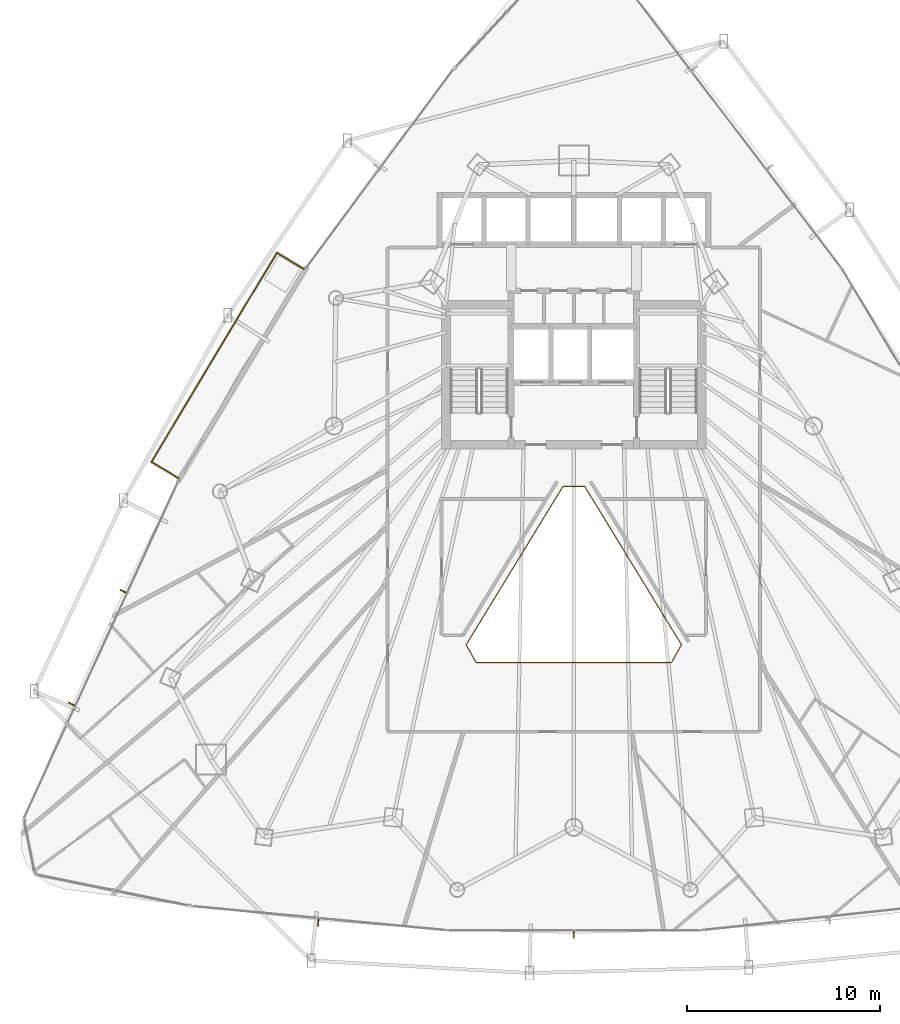
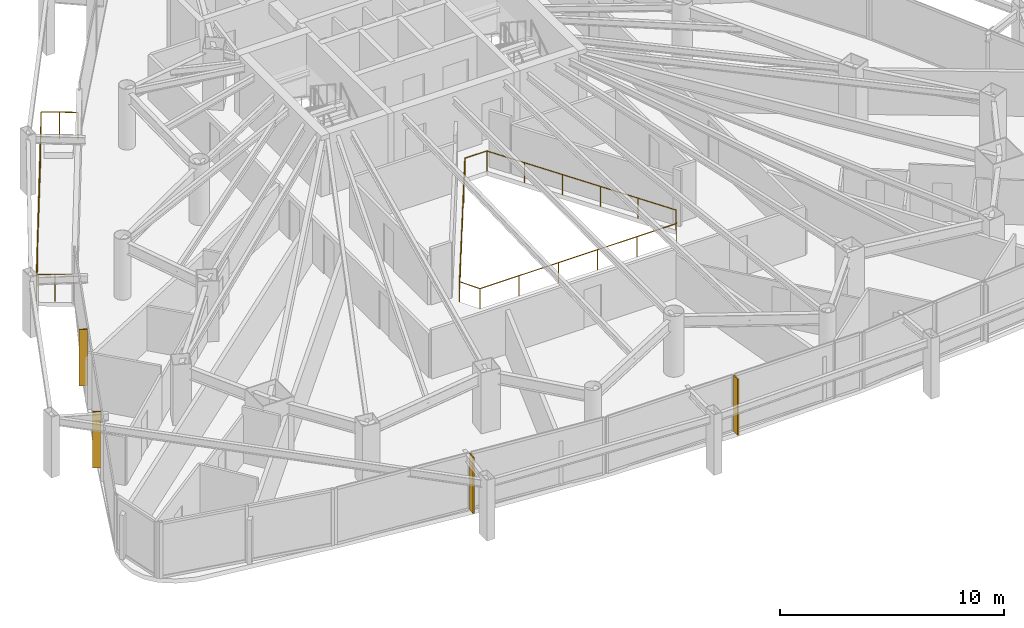
# One storey, part 35 of 38: 4 shading devices, 2 railings.
"""IFC4 building model written with IfcOpenShell, lengths in metres."""

from ifc_helpers import new_model, si_unit, direction, frame, origin, origin_2d, place, context, subcontext, project, spatial, rectangle, circle, extrude, material, layer, layer_set, type_object, element, save


model = new_model("IFC4")

# Units and contexts
model_context = context("Model", 3, precision=1e-05, world=origin(), true_north=direction((0.0, 1.0)))
body_context = subcontext(model_context, "Body", "Model", "MODEL_VIEW")
ifc_project = project(units=[si_unit("LENGTHUNIT", "METRE"), si_unit("AREAUNIT", "SQUARE_METRE"), si_unit("VOLUMEUNIT", "CUBIC_METRE"), si_unit("PLANEANGLEUNIT", "RADIAN"), si_unit("MASSUNIT", "GRAM", prefix="KILO")], contexts=[model_context])

# Site, building, storey
site_placement = place(None, origin())
site = spatial("IfcSite", under=ifc_project, at=site_placement, CompositionType="ELEMENT")
building_placement = place(site_placement, origin())
building = spatial("IfcBuilding", under=site, at=building_placement, Name="Orvanel Arch Residences", CompositionType="ELEMENT")
storey_placement = place(building_placement, frame((0.0, 0.0, 43.39990234375)))
storey = spatial("IfcBuildingStorey", under=building, at=storey_placement, Name="L11", CompositionType="ELEMENT", Elevation=43.39990234375)

# Shading devices
ifc_material = material(Name="Bronze-anodised aluminium AA6063-T6", Category="aluminium")
ifc_layer = layer(ifc_material, 0.06005859375)
ifc_layer_set = layer_set([ifc_layer], Name="Bronze-anodised aluminium AA6063-T6")
shading_device_type = type_object("IfcShadingDeviceType", Name="FIN-BRZ-380", PredefinedType="USERDEFINED", material=ifc_layer_set)
for number, where, z_axis, x_axis, name in (
    (1, (9.652099609375, 19.073974609375, 0.0), (0.0, 0.0, 1.0), (-0.909236109047, 0.41628079226, 0.0), "L11 Anodised Bronze Mullion FIN 01"),
    (2, (6.97802734375, 13.23388671875, 0.0), (0.0, 0.0, 1.0), (-0.909236109047, 0.41628079226, 0.0), "L11 Anodised Bronze Mullion FIN 02"),
    (3, (19.757080078125, 1.91796875, 0.0), (0.0, 0.0, 1.0), (-0.094108313319, -0.995561964603, 0.0), "L11 Anodised Bronze Mullion FIN 01"),
    (4, (33.0, 1.291015625, 0.0), (0.0, 0.0, 1.0), (0.0, -1.0, 0.0), "L11 Anodised Bronze Mullion FIN 01"),
):
    element("IfcShadingDevice", number, at=place(storey_placement, frame(where, z_axis=z_axis, x_axis=x_axis)), inside=storey, type_object=shading_device_type, Name=name, ObjectType="FIN", PredefinedType="USERDEFINED", context=body_context, shape_type="SweptSolid", body=[
        extrude(rectangle(XDim=0.3798828125, YDim=0.06005859375, at=origin_2d()), origin(), (0.0, 0.0, 1.0), 3.06005859375),
    ])

# Railings
railing_type_1 = type_object("IfcRailingType", Name="RL-ATR-1120", PredefinedType="BALUSTRADE", material=ifc_material)
railing_1_placement = place(storey_placement, frame((33.56494140625, 24.5009765625, 0.0)))
element("IfcRailing", 5, at=railing_1_placement, inside=storey, type_object=railing_type_1, Name="L11 Atrium Void Protective Balustrade", PredefinedType="BALUSTRADE", context=body_context, shape_type="SweptSolid", body=[
    extrude(circle(Radius=0.02392578125, at=origin_2d()), frame((-0.00146484375, 0.0, 1.09619140625), z_axis=(-1.0, 0.0, 0.0), x_axis=(0.0, -1.0, 0.0)), (0.0, 0.0, 1.0), 1.126953125),
    extrude(circle(Radius=0.02392578125, at=origin_2d()), frame((-1.130615234375, -0.001220703125, 1.09619140625), z_axis=(-0.521548736033, -0.853221492897, 0.0), x_axis=(0.853221492897, -0.521548736033, 0.0)), (0.0, 0.0, 1.0), 9.599365234375),
    extrude(circle(Radius=0.02392578125, at=origin_2d()), frame((-6.13720703125, -8.194091796875, 1.09619140625), z_axis=(0.489024361599, -0.872270126602, 0.0), x_axis=(0.872270126602, 0.489024361599, 0.0)), (0.0, 0.0, 1.0), 1.056396484375),
    extrude(circle(Radius=0.02392578125, at=origin_2d()), frame((-5.618408203125, -9.116943359375, 1.09619140625), z_axis=(1.0, 0.0, 0.0), x_axis=(0.0, 1.0, 0.0)), (0.0, 0.0, 1.0), 10.10693359375),
    extrude(circle(Radius=0.02392578125, at=origin_2d()), frame((4.49072265625, -9.11572265625, 1.09619140625), z_axis=(0.489024361599, 0.872270126602, 0.0), x_axis=(-0.872270126602, 0.489024361599, 0.0)), (0.0, 0.0, 1.0), 1.056396484375),
    extrude(circle(Radius=0.02392578125, at=origin_2d()), frame((5.00732421875, -8.191650390625, 1.09619140625), z_axis=(-0.521548736033, 0.853221492897, 0.0), x_axis=(-0.853221492897, -0.521548736033, 0.0)), (0.0, 0.0, 1.0), 9.599365234375),
    extrude(circle(Radius=0.02099609375, at=origin_2d()), origin(), (0.0, 0.0, 1.0), 1.070068359375),
    extrude(circle(Radius=0.02099609375, at=origin_2d()), frame((-1.1298828125, 0.0, 0.0)), (0.0, 0.0, 1.0), 1.070068359375),
    extrude(circle(Radius=0.02099609375, at=origin_2d()), frame((-2.131591796875, -1.638671875, 0.0)), (0.0, 0.0, 1.0), 1.070068359375),
    extrude(circle(Radius=0.02099609375, at=origin_2d()), frame((-3.133056640625, -3.277099609375, 0.0)), (0.0, 0.0, 1.0), 1.070068359375),
    extrude(circle(Radius=0.02099609375, at=origin_2d()), frame((-4.134765625, -4.915771484375, 0.0)), (0.0, 0.0, 1.0), 1.070068359375),
    extrude(circle(Radius=0.02099609375, at=origin_2d()), frame((-5.13623046875, -6.55419921875, 0.0)), (0.0, 0.0, 1.0), 1.070068359375),
    extrude(circle(Radius=0.02099609375, at=origin_2d()), frame((-6.137939453125, -8.19287109375, 0.0)), (0.0, 0.0, 1.0), 1.070068359375),
    extrude(circle(Radius=0.02099609375, at=origin_2d()), frame((-5.619873046875, -9.116943359375, 0.0)), (0.0, 0.0, 1.0), 1.070068359375),
    extrude(circle(Radius=0.02099609375, at=origin_2d()), frame((-3.597900390625, -9.116943359375, 0.0)), (0.0, 0.0, 1.0), 1.070068359375),
    extrude(circle(Radius=0.02099609375, at=origin_2d()), frame((-1.575927734375, -9.116943359375, 0.0)), (0.0, 0.0, 1.0), 1.070068359375),
    extrude(circle(Radius=0.02099609375, at=origin_2d()), frame((0.446044921875, -9.116943359375, 0.0)), (0.0, 0.0, 1.0), 1.070068359375),
    extrude(circle(Radius=0.02099609375, at=origin_2d()), frame((2.468017578125, -9.116943359375, 0.0)), (0.0, 0.0, 1.0), 1.070068359375),
    extrude(circle(Radius=0.02099609375, at=origin_2d()), frame((4.489990234375, -9.116943359375, 0.0)), (0.0, 0.0, 1.0), 1.070068359375),
    extrude(circle(Radius=0.02099609375, at=origin_2d()), frame((5.008056640625, -8.19287109375, 0.0)), (0.0, 0.0, 1.0), 1.070068359375),
    extrude(circle(Radius=0.02099609375, at=origin_2d()), frame((4.00634765625, -6.55419921875, 0.0)), (0.0, 0.0, 1.0), 1.070068359375),
    extrude(circle(Radius=0.02099609375, at=origin_2d()), frame((3.0048828125, -4.915771484375, 0.0)), (0.0, 0.0, 1.0), 1.070068359375),
    extrude(circle(Radius=0.02099609375, at=origin_2d()), frame((2.003173828125, -3.277099609375, 0.0)), (0.0, 0.0, 1.0), 1.070068359375),
    extrude(circle(Radius=0.02099609375, at=origin_2d()), frame((1.001708984375, -1.638671875, 0.0)), (0.0, 0.0, 1.0), 1.070068359375),
])
railing_type_2 = type_object("IfcRailingType", Name="RL-BAL-1480", PredefinedType="BALUSTRADE", material=ifc_material)
railing_2_placement = place(storey_placement, frame((19.01904296875, 35.77392578125, 0.0)))
element("IfcRailing", 6, at=railing_2_placement, inside=storey, type_object=railing_type_2, Name="L11 Balcony Perimeter Guardrail Face 1", PredefinedType="BALUSTRADE", context=body_context, shape_type="SweptSolid", body=[
    extrude(circle(Radius=0.02392578125, at=origin_2d()), frame((-0.001220703125, 0.000732421875, 1.4560546875), z_axis=(-0.857387817543, 0.514670895164, 0.0), x_axis=(-0.514670895164, -0.857387817543, 0.0)), (0.0, 0.0, 1.0), 1.636962890625),
    extrude(circle(Radius=0.02392578125, at=origin_2d()), frame((-1.40673828125, 0.8427734375, 1.4560546875), z_axis=(-0.51435933579, -0.857574762738, 0.0), x_axis=(0.857574762738, -0.51435933579, 0.0)), (0.0, 0.0, 1.0), 12.63037109375),
    extrude(circle(Radius=0.02392578125, at=origin_2d()), frame((-7.90283203125, -9.99072265625, 1.4560546875), z_axis=(0.857545439568, -0.514408222208, 0.0), x_axis=(0.514408222208, 0.857545439568, 0.0)), (0.0, 0.0, 1.0), 1.6376953125),
    extrude(circle(Radius=0.02099609375, at=origin_2d()), origin(), (0.0, 0.0, 1.0), 1.429931640625),
    extrude(circle(Radius=0.02099609375, at=origin_2d()), frame((-0.703125, 0.421875, 0.0)), (0.0, 0.0, 1.0), 1.429931640625),
    extrude(circle(Radius=0.02099609375, at=origin_2d()), frame((-1.406005859375, 0.843994140625, 0.0)), (0.0, 0.0, 1.0), 1.429931640625),
    extrude(circle(Radius=0.02099609375, at=origin_2d()), frame((-1.996826171875, -0.140869140625, 0.0)), (0.0, 0.0, 1.0), 1.429931640625),
    extrude(circle(Radius=0.02099609375, at=origin_2d()), frame((-2.58740234375, -1.125732421875, 0.0)), (0.0, 0.0, 1.0), 1.429931640625),
    extrude(circle(Radius=0.02099609375, at=origin_2d()), frame((-3.17822265625, -2.11083984375, 0.0)), (0.0, 0.0, 1.0), 1.429931640625),
    extrude(circle(Radius=0.02099609375, at=origin_2d()), frame((-3.76904296875, -3.095703125, 0.0)), (0.0, 0.0, 1.0), 1.429931640625),
    extrude(circle(Radius=0.02099609375, at=origin_2d()), frame((-4.359619140625, -4.08056640625, 0.0)), (0.0, 0.0, 1.0), 1.429931640625),
    extrude(circle(Radius=0.02099609375, at=origin_2d()), frame((-4.950439453125, -5.0654296875, 0.0)), (0.0, 0.0, 1.0), 1.429931640625),
    extrude(circle(Radius=0.02099609375, at=origin_2d()), frame((-5.541015625, -6.05029296875, 0.0)), (0.0, 0.0, 1.0), 1.429931640625),
    extrude(circle(Radius=0.02099609375, at=origin_2d()), frame((-6.1318359375, -7.03515625, 0.0)), (0.0, 0.0, 1.0), 1.429931640625),
    extrude(circle(Radius=0.02099609375, at=origin_2d()), frame((-6.72265625, -8.020263671875, 0.0)), (0.0, 0.0, 1.0), 1.429931640625),
    extrude(circle(Radius=0.02099609375, at=origin_2d()), frame((-7.313232421875, -9.005126953125, 0.0)), (0.0, 0.0, 1.0), 1.429931640625),
    extrude(circle(Radius=0.02099609375, at=origin_2d()), frame((-7.904052734375, -9.989990234375, 0.0)), (0.0, 0.0, 1.0), 1.429931640625),
    extrude(circle(Radius=0.02099609375, at=origin_2d()), frame((-7.20068359375, -10.412109375, 0.0)), (0.0, 0.0, 1.0), 1.429931640625),
    extrude(circle(Radius=0.02099609375, at=origin_2d()), frame((-6.4970703125, -10.833984375, 0.0)), (0.0, 0.0, 1.0), 1.429931640625),
])

save(model, "model.ifc")
